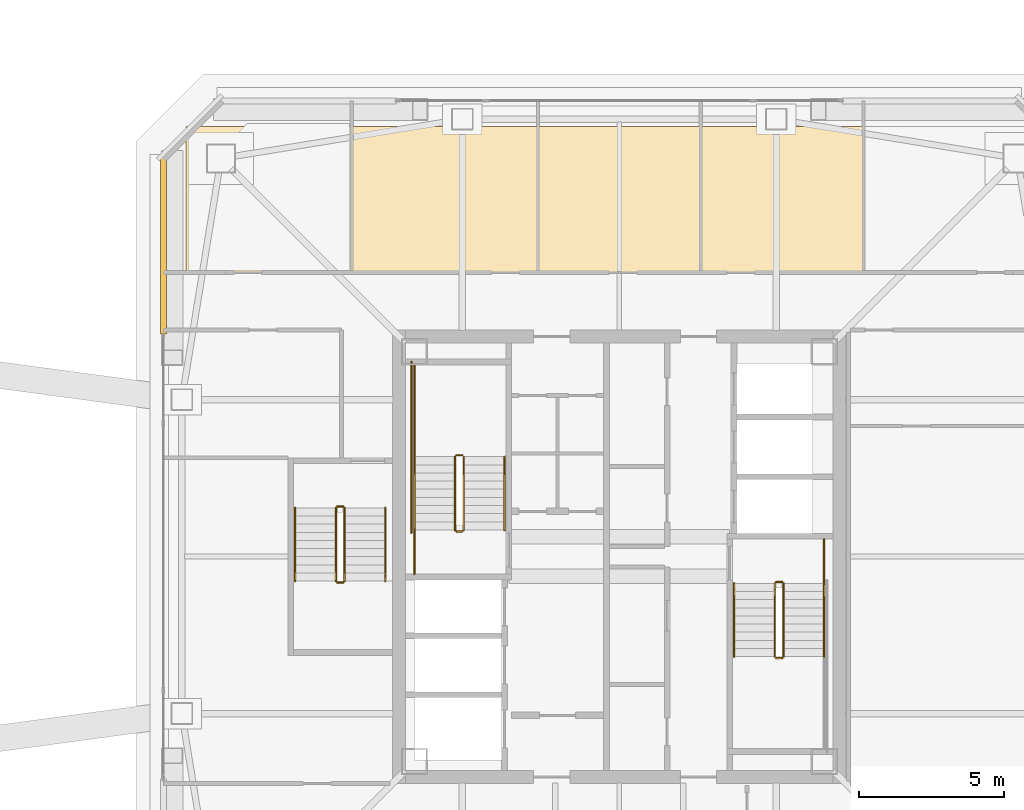
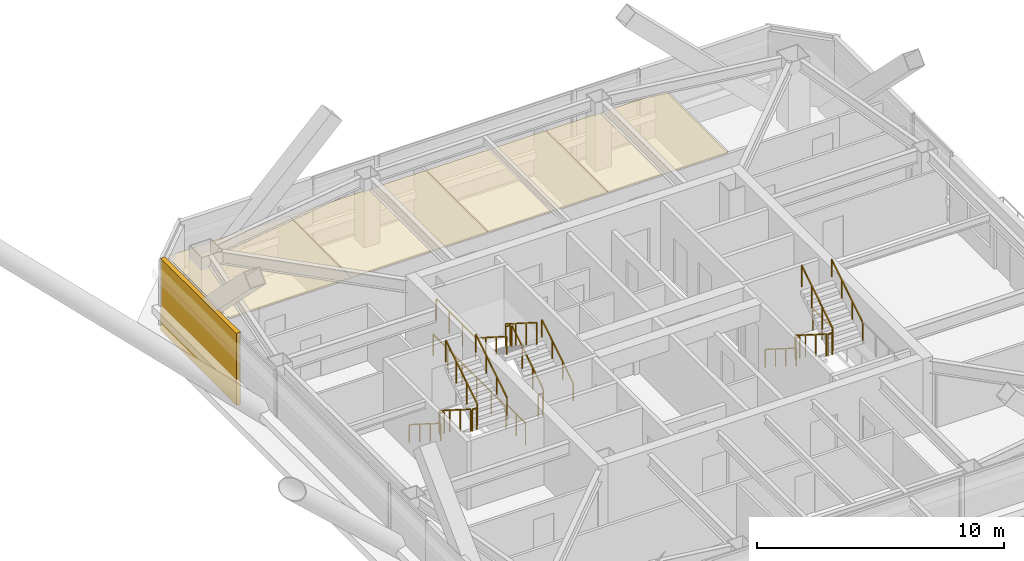
# One storey, part 36 of 39: 22 railings, 5 coverings.
"""IFC4 building model written with IfcOpenShell, lengths in metres."""

from ifc_helpers import new_model, si_unit, direction, frame, origin, origin_2d, place, context, subcontext, project, spatial, polyline, rectangle, outline, extrude, material, layer, layer_set, type_object, element, save


model = new_model("IFC4")

# Units and contexts
model_context = context("Model", 3, precision=1e-05, world=origin(), true_north=direction((0.0, 1.0)))
body_context = subcontext(model_context, "Body", "Model", "MODEL_VIEW")
ifc_project = project(units=[si_unit("LENGTHUNIT", "METRE"), si_unit("AREAUNIT", "SQUARE_METRE"), si_unit("VOLUMEUNIT", "CUBIC_METRE"), si_unit("PLANEANGLEUNIT", "RADIAN"), si_unit("MASSUNIT", "GRAM", prefix="KILO")], contexts=[model_context])

# Site, building, storey
site_placement = place(None, origin())
site = spatial("IfcSite", under=ifc_project, at=site_placement, CompositionType="ELEMENT")
building_placement = place(site_placement, origin())
building = spatial("IfcBuilding", under=site, at=building_placement, Name="Tashvorn Skyway Center", CompositionType="ELEMENT")
storey_placement = place(building_placement, frame((0.0, 0.0, 232.60009765625)))
storey = spatial("IfcBuildingStorey", under=building, at=storey_placement, Name="L63", CompositionType="ELEMENT", Elevation=232.60009765625)

# Coverings
ifc_material_1 = material(Name="Precast concrete C40/50", Category="concrete")
ifc_layer_1 = layer(ifc_material_1, 0.199951171875)
ifc_layer_set_1 = layer_set([ifc_layer_1], Name="Precast concrete C40/50")
covering_type_1 = type_object("IfcCoveringType", Name="COV-BRACE-CLAD", PredefinedType="CLADDING", material=ifc_layer_set_1)
covering_1_placement = place(storey_placement, frame((26.320068359375, 42.7177734375, 0.0), z_axis=(0.0, 0.0, 1.0), x_axis=(0.0, 1.0, 0.0)))
element("IfcCovering", 1, at=covering_1_placement, inside=storey, type_object=covering_type_1, Name="Tower 1 L63 West Unitised Curtain Wall Mega-Brace Cladding Band 2", PredefinedType="CLADDING", context=body_context, shape_type="SweptSolid", body=[
    extrude(rectangle(XDim=6.12451171875, YDim=0.199951171875, at=origin_2d()), origin(), (0.0, 0.0, 1.0), 3.550048828125),
])
ifc_material_2 = material(Name="Mineral-fibre acoustic ceiling tile on suspended grid")
ifc_layer_2 = layer(ifc_material_2, 0.02001953125)
ifc_layer_set_2 = layer_set([ifc_layer_2], Name="Mineral-fibre acoustic ceiling tile on suspended grid")
covering_type_2 = type_object("IfcCoveringType", Name="COV-CEIL-20", PredefinedType="CEILING", material=ifc_layer_set_2)
covering_2_placement = place(storey_placement, frame((0.0, 0.0, 2.702880859375)))
element("IfcCovering", 2, at=covering_2_placement, inside=storey, type_object=covering_type_2, Name="Tower 1 L63 Research Library Acoustic Ceiling", PredefinedType="CEILING", context=body_context, shape_type="SweptSolid", body=[
    extrude(outline(polyline([(27.10009765625, 41.77001953125), (32.800048828125, 41.77001953125), (32.800048828125, 46.800048828125), (27.10009765625, 46.800048828125), (27.10009765625, 41.77001953125)])), origin(), (0.0, 0.0, 1.0), 0.02001953125),
])
covering_3_placement = place(storey_placement, frame((0.0, 0.0, 2.702880859375)))
element("IfcCovering", 3, at=covering_3_placement, inside=storey, type_object=covering_type_2, Name="Tower 1 L63 Research Library Acoustic Ceiling", PredefinedType="CEILING", context=body_context, shape_type="SweptSolid", body=[
    extrude(outline(polyline([(32.800048828125, 41.77001953125), (39.199951171875, 41.77001953125), (39.199951171875, 46.800048828125), (32.800048828125, 46.800048828125), (32.800048828125, 41.77001953125)])), origin(), (0.0, 0.0, 1.0), 0.02001953125),
])
covering_4_placement = place(storey_placement, frame((0.0, 0.0, 2.702880859375)))
element("IfcCovering", 4, at=covering_4_placement, inside=storey, type_object=covering_type_2, Name="Tower 1 L63 Reading Lounge Acoustic Ceiling", PredefinedType="CEILING", context=body_context, shape_type="SweptSolid", body=[
    extrude(outline(polyline([(39.199951171875, 41.77001953125), (44.800048828125, 41.77001953125), (44.800048828125, 46.800048828125), (39.199951171875, 46.800048828125), (39.199951171875, 41.77001953125)])), origin(), (0.0, 0.0, 1.0), 0.02001953125),
])
covering_5_placement = place(storey_placement, frame((0.0, 0.0, 2.702880859375)))
element("IfcCovering", 5, at=covering_5_placement, inside=storey, type_object=covering_type_2, Name="Tower 1 L63 Research Library Acoustic Ceiling", PredefinedType="CEILING", context=body_context, shape_type="SweptSolid", body=[
    extrude(outline(polyline([(44.800048828125, 41.77001953125), (50.39990234375, 41.77001953125), (50.39990234375, 46.800048828125), (44.800048828125, 46.800048828125), (44.800048828125, 41.77001953125)])), origin(), (0.0, 0.0, 1.0), 0.02001953125),
])

# Railings
ifc_material_3 = material(Name="Brushed stainless steel 316", Category="steel")
railing_type_1 = type_object("IfcRailingType", Name="RAIL-HAND-920", PredefinedType="HANDRAIL", material=ifc_material_3)
railing_1_placement = place(storey_placement, frame((38.050048828125, 32.919921875, 0.177490234375)))
element("IfcRailing", 6, at=railing_1_placement, inside=storey, type_object=railing_type_1, Name="L63 ST-T1-1 stair handrail 1", PredefinedType="HANDRAIL", context=body_context, shape_type="SweptSolid", body=[
    extrude(rectangle(XDim=0.048095703125, YDim=0.048095703125, at=origin_2d()), frame((0.0, 0.0, 0.8759765625), z_axis=(0.0, 0.84460694969, 0.535386869969), x_axis=(-1.0, 0.0, 0.0)), (0.0, 0.0, 1.0), 2.983642578125),
    extrude(rectangle(XDim=0.0419921875, YDim=0.0419921875, at=origin_2d()), origin(), (0.0, 0.0, 1.0), 0.851806640625),
    extrude(rectangle(XDim=0.0419921875, YDim=0.0419921875, at=origin_2d()), frame((0.0, 0.840087890625, 0.532470703125)), (0.0, 0.0, 1.0), 0.851806640625),
    extrude(rectangle(XDim=0.0419921875, YDim=0.0419921875, at=origin_2d()), frame((0.0, 1.679931640625, 1.06494140625)), (0.0, 0.0, 1.0), 0.851806640625),
    extrude(rectangle(XDim=0.0419921875, YDim=0.0419921875, at=origin_2d()), frame((0.0, 2.52001953125, 1.597412109375)), (0.0, 0.0, 1.0), 0.851806640625),
])
for number, where, name in (
    (7, (34.949951171875, 35.43994140625, 1.952392578125), "L63 ST-T1-1 stair handrail 2"),
    (8, (45.949951171875, 31.080078125, 0.177490234375), "L63 ST-T1-2 stair handrail 1"),
):
    element("IfcRailing", number, at=place(storey_placement, frame(where)), inside=storey, type_object=railing_type_1, Name=name, PredefinedType="HANDRAIL", context=body_context, shape_type="SweptSolid", body=[
        extrude(rectangle(XDim=0.048095703125, YDim=0.048095703125, at=origin_2d()), frame((0.0, 0.0, 0.8759765625), z_axis=(0.0, -0.84460694969, 0.535386869969), x_axis=(1.0, 0.0, 0.0)), (0.0, 0.0, 1.0), 2.983642578125),
        extrude(rectangle(XDim=0.0419921875, YDim=0.0419921875, at=origin_2d()), origin(), (0.0, 0.0, 1.0), 0.851806640625),
        extrude(rectangle(XDim=0.0419921875, YDim=0.0419921875, at=origin_2d()), frame((0.0, -0.840087890625, 0.532470703125)), (0.0, 0.0, 1.0), 0.851806640625),
        extrude(rectangle(XDim=0.0419921875, YDim=0.0419921875, at=origin_2d()), frame((0.0, -1.679931640625, 1.06494140625)), (0.0, 0.0, 1.0), 0.851806640625),
        extrude(rectangle(XDim=0.0419921875, YDim=0.0419921875, at=origin_2d()), frame((0.0, -2.52001953125, 1.597412109375)), (0.0, 0.0, 1.0), 0.851806640625),
    ])
railing_2_placement = place(storey_placement, frame((49.050048828125, 28.56005859375, 1.952392578125)))
element("IfcRailing", 9, at=railing_2_placement, inside=storey, type_object=railing_type_1, Name="L63 ST-T1-2 stair handrail 2", PredefinedType="HANDRAIL", context=body_context, shape_type="SweptSolid", body=[
    extrude(rectangle(XDim=0.048095703125, YDim=0.048095703125, at=origin_2d()), frame((0.0, 0.0, 0.8759765625), z_axis=(0.0, 0.84460694969, 0.535386869969), x_axis=(-1.0, 0.0, 0.0)), (0.0, 0.0, 1.0), 2.983642578125),
    extrude(rectangle(XDim=0.0419921875, YDim=0.0419921875, at=origin_2d()), origin(), (0.0, 0.0, 1.0), 0.851806640625),
    extrude(rectangle(XDim=0.0419921875, YDim=0.0419921875, at=origin_2d()), frame((0.0, 0.840087890625, 0.532470703125)), (0.0, 0.0, 1.0), 0.851806640625),
    extrude(rectangle(XDim=0.0419921875, YDim=0.0419921875, at=origin_2d()), frame((0.0, 1.679931640625, 1.06494140625)), (0.0, 0.0, 1.0), 0.851806640625),
    extrude(rectangle(XDim=0.0419921875, YDim=0.0419921875, at=origin_2d()), frame((0.0, 2.52001953125, 1.597412109375)), (0.0, 0.0, 1.0), 0.851806640625),
])
railing_3_placement = place(storey_placement, frame((30.85009765625, 33.679931640625, 0.177490234375)))
element("IfcRailing", 10, at=railing_3_placement, inside=storey, type_object=railing_type_1, Name="L63 ST-T1-3 stair handrail 1", PredefinedType="HANDRAIL", context=body_context, shape_type="SweptSolid", body=[
    extrude(rectangle(XDim=0.048095703125, YDim=0.048095703125, at=origin_2d()), frame((0.0, 0.0, 0.8759765625), z_axis=(0.0, -0.84460694969, 0.535386869969), x_axis=(1.0, 0.0, 0.0)), (0.0, 0.0, 1.0), 2.983642578125),
    extrude(rectangle(XDim=0.0419921875, YDim=0.0419921875, at=origin_2d()), origin(), (0.0, 0.0, 1.0), 0.851806640625),
    extrude(rectangle(XDim=0.0419921875, YDim=0.0419921875, at=origin_2d()), frame((0.0, -0.840087890625, 0.532470703125)), (0.0, 0.0, 1.0), 0.851806640625),
    extrude(rectangle(XDim=0.0419921875, YDim=0.0419921875, at=origin_2d()), frame((0.0, -1.679931640625, 1.06494140625)), (0.0, 0.0, 1.0), 0.851806640625),
    extrude(rectangle(XDim=0.0419921875, YDim=0.0419921875, at=origin_2d()), frame((0.0, -2.52001953125, 1.597412109375)), (0.0, 0.0, 1.0), 0.851806640625),
])
railing_4_placement = place(storey_placement, frame((33.949951171875, 31.159912109375, 1.952392578125)))
element("IfcRailing", 11, at=railing_4_placement, inside=storey, type_object=railing_type_1, Name="L63 ST-T1-3 stair handrail 2", PredefinedType="HANDRAIL", context=body_context, shape_type="SweptSolid", body=[
    extrude(rectangle(XDim=0.048095703125, YDim=0.048095703125, at=origin_2d()), frame((0.0, 0.0, 0.8759765625), z_axis=(0.0, 0.84460694969, 0.535386869969), x_axis=(-1.0, 0.0, 0.0)), (0.0, 0.0, 1.0), 2.983642578125),
    extrude(rectangle(XDim=0.0419921875, YDim=0.0419921875, at=origin_2d()), origin(), (0.0, 0.0, 1.0), 0.851806640625),
    extrude(rectangle(XDim=0.0419921875, YDim=0.0419921875, at=origin_2d()), frame((0.0, 0.840087890625, 0.532470703125)), (0.0, 0.0, 1.0), 0.851806640625),
    extrude(rectangle(XDim=0.0419921875, YDim=0.0419921875, at=origin_2d()), frame((0.0, 1.679931640625, 1.06494140625)), (0.0, 0.0, 1.0), 0.851806640625),
    extrude(rectangle(XDim=0.0419921875, YDim=0.0419921875, at=origin_2d()), frame((0.0, 2.52001953125, 1.597412109375)), (0.0, 0.0, 1.0), 0.851806640625),
])
ifc_material_4 = material(Name="Painted galvanized steel S355", Category="steel")
railing_type_2 = type_object("IfcRailingType", Name="RAIL-STGUARD-1100", PredefinedType="GUARDRAIL", material=ifc_material_4)
railing_5_placement = place(storey_placement, frame((36.64990234375, 32.919921875, 0.177490234375)))
element("IfcRailing", 12, at=railing_5_placement, inside=storey, type_object=railing_type_2, Name="L63 ST-T1-1 stair guard 1", PredefinedType="GUARDRAIL", context=body_context, shape_type="SweptSolid", body=[
    extrude(rectangle(XDim=0.048095703125, YDim=0.048095703125, at=origin_2d()), frame((0.0, 0.0, 1.076171875), z_axis=(0.0, 0.84460694969, 0.535386869969), x_axis=(-1.0, 0.0, 0.0)), (0.0, 0.0, 1.0), 2.983642578125),
    extrude(rectangle(XDim=0.0419921875, YDim=0.0419921875, at=origin_2d()), origin(), (0.0, 0.0, 1.0), 1.052001953125),
    extrude(rectangle(XDim=0.0419921875, YDim=0.0419921875, at=origin_2d()), frame((0.0, 0.840087890625, 0.532470703125)), (0.0, 0.0, 1.0), 1.052001953125),
    extrude(rectangle(XDim=0.0419921875, YDim=0.0419921875, at=origin_2d()), frame((0.0, 1.679931640625, 1.06494140625)), (0.0, 0.0, 1.0), 1.052001953125),
    extrude(rectangle(XDim=0.0419921875, YDim=0.0419921875, at=origin_2d()), frame((0.0, 2.52001953125, 1.597412109375)), (0.0, 0.0, 1.0), 1.052001953125),
])
railing_6_placement = place(storey_placement, frame((36.60009765625, 35.489990234375, 1.77490234375)))
element("IfcRailing", 13, at=railing_6_placement, inside=storey, type_object=railing_type_2, Name="L63 ST-T1-1 stair guard 2", PredefinedType="GUARDRAIL", context=body_context, shape_type="SweptSolid", body=[
    extrude(rectangle(XDim=0.048095703125, YDim=0.048095703125, at=origin_2d()), frame((0.0, 0.0, 1.076171875), z_axis=(-1.0, 0.0, 0.0), x_axis=(0.0, -1.0, 0.0)), (0.0, 0.0, 1.0), 0.2001953125),
    extrude(rectangle(XDim=0.0419921875, YDim=0.0419921875, at=origin_2d()), origin(), (0.0, 0.0, 1.0), 1.052001953125),
    extrude(rectangle(XDim=0.0419921875, YDim=0.0419921875, at=origin_2d()), frame((-0.2001953125, 0.0, 0.0)), (0.0, 0.0, 1.0), 1.052001953125),
])
railing_7_placement = place(storey_placement, frame((34.949951171875, 35.43994140625, 1.77490234375)))
element("IfcRailing", 14, at=railing_7_placement, inside=storey, type_object=railing_type_2, Name="L63 ST-T1-1 stair guard 3", PredefinedType="GUARDRAIL", context=body_context, shape_type="SweptSolid", body=[
    extrude(rectangle(XDim=0.048095703125, YDim=0.048095703125, at=origin_2d()), frame((0.0, 0.0, 1.076171875), z_axis=(0.0, 1.0, 0.0), x_axis=(-1.0, 0.0, 0.0)), (0.0, 0.0, 1.0), 3.16015625),
    extrude(rectangle(XDim=0.0419921875, YDim=0.0419921875, at=origin_2d()), origin(), (0.0, 0.0, 1.0), 1.052001953125),
    extrude(rectangle(XDim=0.0419921875, YDim=0.0419921875, at=origin_2d()), frame((0.0, 1.053466796875, 0.0)), (0.0, 0.0, 1.0), 1.052001953125),
    extrude(rectangle(XDim=0.0419921875, YDim=0.0419921875, at=origin_2d()), frame((0.0, 2.106689453125, 0.0)), (0.0, 0.0, 1.0), 1.052001953125),
    extrude(rectangle(XDim=0.0419921875, YDim=0.0419921875, at=origin_2d()), frame((0.0, 3.16015625, 0.0)), (0.0, 0.0, 1.0), 1.052001953125),
])
railing_8_placement = place(storey_placement, frame((36.35009765625, 35.43994140625, 1.952392578125)))
element("IfcRailing", 15, at=railing_8_placement, inside=storey, type_object=railing_type_2, Name="L63 ST-T1-1 stair guard 4", PredefinedType="GUARDRAIL", context=body_context, shape_type="SweptSolid", body=[
    extrude(rectangle(XDim=0.048095703125, YDim=0.048095703125, at=origin_2d()), frame((0.0, 0.0, 1.076171875), z_axis=(0.0, -0.84460694969, 0.535386869969), x_axis=(1.0, 0.0, 0.0)), (0.0, 0.0, 1.0), 2.983642578125),
    extrude(rectangle(XDim=0.0419921875, YDim=0.0419921875, at=origin_2d()), origin(), (0.0, 0.0, 1.0), 1.052001953125),
    extrude(rectangle(XDim=0.0419921875, YDim=0.0419921875, at=origin_2d()), frame((0.0, -0.840087890625, 0.532470703125)), (0.0, 0.0, 1.0), 1.052001953125),
    extrude(rectangle(XDim=0.0419921875, YDim=0.0419921875, at=origin_2d()), frame((0.0, -1.679931640625, 1.06494140625)), (0.0, 0.0, 1.0), 1.052001953125),
    extrude(rectangle(XDim=0.0419921875, YDim=0.0419921875, at=origin_2d()), frame((0.0, -2.52001953125, 1.597412109375)), (0.0, 0.0, 1.0), 1.052001953125),
])
railing_9_placement = place(storey_placement, frame((36.60009765625, 32.8701171875, 0.0)))
element("IfcRailing", 16, at=railing_9_placement, inside=storey, type_object=railing_type_2, Name="L63 ST-T1-1 stair guard 5", PredefinedType="GUARDRAIL", context=body_context, shape_type="SweptSolid", body=[
    extrude(rectangle(XDim=0.048095703125, YDim=0.048095703125, at=origin_2d()), frame((0.0, 0.0, 1.076171875), z_axis=(-1.0, 0.0, 0.0), x_axis=(0.0, -1.0, 0.0)), (0.0, 0.0, 1.0), 0.2001953125),
    extrude(rectangle(XDim=0.0419921875, YDim=0.0419921875, at=origin_2d()), origin(), (0.0, 0.0, 1.0), 1.052001953125),
    extrude(rectangle(XDim=0.0419921875, YDim=0.0419921875, at=origin_2d()), frame((-0.2001953125, 0.0, 0.0)), (0.0, 0.0, 1.0), 1.052001953125),
])
railing_10_placement = place(storey_placement, frame((34.949951171875, 31.39990234375, 0.0)))
element("IfcRailing", 17, at=railing_10_placement, inside=storey, type_object=railing_type_2, Name="L63 ST-T1-1 stair guard 6", PredefinedType="GUARDRAIL", context=body_context, shape_type="SweptSolid", body=[
    extrude(rectangle(XDim=0.048095703125, YDim=0.048095703125, at=origin_2d()), frame((0.0, 0.0, 1.076171875), z_axis=(0.0, 1.0, 0.0), x_axis=(-1.0, 0.0, 0.0)), (0.0, 0.0, 1.0), 1.52001953125),
    extrude(rectangle(XDim=0.0419921875, YDim=0.0419921875, at=origin_2d()), origin(), (0.0, 0.0, 1.0), 1.052001953125),
    extrude(rectangle(XDim=0.0419921875, YDim=0.0419921875, at=origin_2d()), frame((0.0, 0.760009765625, 0.0)), (0.0, 0.0, 1.0), 1.052001953125),
    extrude(rectangle(XDim=0.0419921875, YDim=0.0419921875, at=origin_2d()), frame((0.0, 1.52001953125, 0.0)), (0.0, 0.0, 1.0), 1.052001953125),
])
railing_11_placement = place(storey_placement, frame((34.85009765625, 32.820068359375, 0.0)))
element("IfcRailing", 18, at=railing_11_placement, inside=storey, type_object=railing_type_2, Name="L63 ST-T1-1 stair guard 7", PredefinedType="GUARDRAIL", context=body_context, shape_type="SweptSolid", body=[
    extrude(rectangle(XDim=0.048095703125, YDim=0.048095703125, at=origin_2d()), frame((0.0, 0.0, 1.076171875), z_axis=(0.0, 1.0, 0.0), x_axis=(-1.0, 0.0, 0.0)), (0.0, 0.0, 1.0), 5.8798828125),
    extrude(rectangle(XDim=0.0419921875, YDim=0.0419921875, at=origin_2d()), origin(), (0.0, 0.0, 1.0), 1.052001953125),
    extrude(rectangle(XDim=0.0419921875, YDim=0.0419921875, at=origin_2d()), frame((0.0, 1.176025390625, 0.0)), (0.0, 0.0, 1.0), 1.052001953125),
    extrude(rectangle(XDim=0.0419921875, YDim=0.0419921875, at=origin_2d()), frame((0.0, 2.35205078125, 0.0)), (0.0, 0.0, 1.0), 1.052001953125),
    extrude(rectangle(XDim=0.0419921875, YDim=0.0419921875, at=origin_2d()), frame((0.0, 3.52783203125, 0.0)), (0.0, 0.0, 1.0), 1.052001953125),
    extrude(rectangle(XDim=0.0419921875, YDim=0.0419921875, at=origin_2d()), frame((0.0, 4.703857421875, 0.0)), (0.0, 0.0, 1.0), 1.052001953125),
    extrude(rectangle(XDim=0.0419921875, YDim=0.0419921875, at=origin_2d()), frame((0.0, 5.8798828125, 0.0)), (0.0, 0.0, 1.0), 1.052001953125),
])
railing_12_placement = place(storey_placement, frame((47.35009765625, 31.080078125, 0.177490234375)))
element("IfcRailing", 19, at=railing_12_placement, inside=storey, type_object=railing_type_2, Name="L63 ST-T1-2 stair guard 1", PredefinedType="GUARDRAIL", context=body_context, shape_type="SweptSolid", body=[
    extrude(rectangle(XDim=0.048095703125, YDim=0.048095703125, at=origin_2d()), frame((0.0, 0.0, 1.076171875), z_axis=(0.0, -0.84460694969, 0.535386869969), x_axis=(1.0, 0.0, 0.0)), (0.0, 0.0, 1.0), 2.983642578125),
    extrude(rectangle(XDim=0.0419921875, YDim=0.0419921875, at=origin_2d()), origin(), (0.0, 0.0, 1.0), 1.052001953125),
    extrude(rectangle(XDim=0.0419921875, YDim=0.0419921875, at=origin_2d()), frame((0.0, -0.840087890625, 0.532470703125)), (0.0, 0.0, 1.0), 1.052001953125),
    extrude(rectangle(XDim=0.0419921875, YDim=0.0419921875, at=origin_2d()), frame((0.0, -1.679931640625, 1.06494140625)), (0.0, 0.0, 1.0), 1.052001953125),
    extrude(rectangle(XDim=0.0419921875, YDim=0.0419921875, at=origin_2d()), frame((0.0, -2.52001953125, 1.597412109375)), (0.0, 0.0, 1.0), 1.052001953125),
])
railing_13_placement = place(storey_placement, frame((47.39990234375, 28.510009765625, 1.77490234375)))
element("IfcRailing", 20, at=railing_13_placement, inside=storey, type_object=railing_type_2, Name="L63 ST-T1-2 stair guard 2", PredefinedType="GUARDRAIL", context=body_context, shape_type="SweptSolid", body=[
    extrude(rectangle(XDim=0.048095703125, YDim=0.048095703125, at=origin_2d()), frame((0.0, 0.0, 1.076171875), z_axis=(1.0, 0.0, 0.0), x_axis=(0.0, 1.0, 0.0)), (0.0, 0.0, 1.0), 0.2001953125),
    extrude(rectangle(XDim=0.0419921875, YDim=0.0419921875, at=origin_2d()), origin(), (0.0, 0.0, 1.0), 1.052001953125),
    extrude(rectangle(XDim=0.0419921875, YDim=0.0419921875, at=origin_2d()), frame((0.2001953125, 0.0, 0.0)), (0.0, 0.0, 1.0), 1.052001953125),
])
railing_14_placement = place(storey_placement, frame((47.64990234375, 28.56005859375, 1.952392578125)))
element("IfcRailing", 21, at=railing_14_placement, inside=storey, type_object=railing_type_2, Name="L63 ST-T1-2 stair guard 4", PredefinedType="GUARDRAIL", context=body_context, shape_type="SweptSolid", body=[
    extrude(rectangle(XDim=0.048095703125, YDim=0.048095703125, at=origin_2d()), frame((0.0, 0.0, 1.076171875), z_axis=(0.0, 0.84460694969, 0.535386869969), x_axis=(-1.0, 0.0, 0.0)), (0.0, 0.0, 1.0), 2.983642578125),
    extrude(rectangle(XDim=0.0419921875, YDim=0.0419921875, at=origin_2d()), origin(), (0.0, 0.0, 1.0), 1.052001953125),
    extrude(rectangle(XDim=0.0419921875, YDim=0.0419921875, at=origin_2d()), frame((0.0, 0.840087890625, 0.532470703125)), (0.0, 0.0, 1.0), 1.052001953125),
    extrude(rectangle(XDim=0.0419921875, YDim=0.0419921875, at=origin_2d()), frame((0.0, 1.679931640625, 1.06494140625)), (0.0, 0.0, 1.0), 1.052001953125),
    extrude(rectangle(XDim=0.0419921875, YDim=0.0419921875, at=origin_2d()), frame((0.0, 2.52001953125, 1.597412109375)), (0.0, 0.0, 1.0), 1.052001953125),
])
railing_15_placement = place(storey_placement, frame((47.39990234375, 31.1298828125, 0.0)))
element("IfcRailing", 22, at=railing_15_placement, inside=storey, type_object=railing_type_2, Name="L63 ST-T1-2 stair guard 5", PredefinedType="GUARDRAIL", context=body_context, shape_type="SweptSolid", body=[
    extrude(rectangle(XDim=0.048095703125, YDim=0.048095703125, at=origin_2d()), frame((0.0, 0.0, 1.076171875), z_axis=(1.0, 0.0, 0.0), x_axis=(0.0, 1.0, 0.0)), (0.0, 0.0, 1.0), 0.2001953125),
    extrude(rectangle(XDim=0.0419921875, YDim=0.0419921875, at=origin_2d()), origin(), (0.0, 0.0, 1.0), 1.052001953125),
    extrude(rectangle(XDim=0.0419921875, YDim=0.0419921875, at=origin_2d()), frame((0.2001953125, 0.0, 0.0)), (0.0, 0.0, 1.0), 1.052001953125),
])
railing_16_placement = place(storey_placement, frame((49.050048828125, 32.60009765625, 0.0)))
element("IfcRailing", 23, at=railing_16_placement, inside=storey, type_object=railing_type_2, Name="L63 ST-T1-2 stair guard 6", PredefinedType="GUARDRAIL", context=body_context, shape_type="SweptSolid", body=[
    extrude(rectangle(XDim=0.048095703125, YDim=0.048095703125, at=origin_2d()), frame((0.0, 0.0, 1.076171875), z_axis=(0.0, -1.0, 0.0), x_axis=(1.0, 0.0, 0.0)), (0.0, 0.0, 1.0), 1.52001953125),
    extrude(rectangle(XDim=0.0419921875, YDim=0.0419921875, at=origin_2d()), origin(), (0.0, 0.0, 1.0), 1.052001953125),
    extrude(rectangle(XDim=0.0419921875, YDim=0.0419921875, at=origin_2d()), frame((0.0, -0.760009765625, 0.0)), (0.0, 0.0, 1.0), 1.052001953125),
    extrude(rectangle(XDim=0.0419921875, YDim=0.0419921875, at=origin_2d()), frame((0.0, -1.52001953125, 0.0)), (0.0, 0.0, 1.0), 1.052001953125),
])
railing_17_placement = place(storey_placement, frame((32.25, 33.679931640625, 0.177490234375)))
element("IfcRailing", 24, at=railing_17_placement, inside=storey, type_object=railing_type_2, Name="L63 ST-T1-3 stair guard 1", PredefinedType="GUARDRAIL", context=body_context, shape_type="SweptSolid", body=[
    extrude(rectangle(XDim=0.048095703125, YDim=0.048095703125, at=origin_2d()), frame((0.0, 0.0, 1.076171875), z_axis=(0.0, -0.84460694969, 0.535386869969), x_axis=(1.0, 0.0, 0.0)), (0.0, 0.0, 1.0), 2.983642578125),
    extrude(rectangle(XDim=0.0419921875, YDim=0.0419921875, at=origin_2d()), origin(), (0.0, 0.0, 1.0), 1.052001953125),
    extrude(rectangle(XDim=0.0419921875, YDim=0.0419921875, at=origin_2d()), frame((0.0, -0.840087890625, 0.532470703125)), (0.0, 0.0, 1.0), 1.052001953125),
    extrude(rectangle(XDim=0.0419921875, YDim=0.0419921875, at=origin_2d()), frame((0.0, -1.679931640625, 1.06494140625)), (0.0, 0.0, 1.0), 1.052001953125),
    extrude(rectangle(XDim=0.0419921875, YDim=0.0419921875, at=origin_2d()), frame((0.0, -2.52001953125, 1.597412109375)), (0.0, 0.0, 1.0), 1.052001953125),
])
railing_18_placement = place(storey_placement, frame((32.300048828125, 31.110107421875, 1.77490234375)))
element("IfcRailing", 25, at=railing_18_placement, inside=storey, type_object=railing_type_2, Name="L63 ST-T1-3 stair guard 2", PredefinedType="GUARDRAIL", context=body_context, shape_type="SweptSolid", body=[
    extrude(rectangle(XDim=0.048095703125, YDim=0.048095703125, at=origin_2d()), frame((0.0, 0.0, 1.076171875), z_axis=(1.0, 0.0, 0.0), x_axis=(0.0, 1.0, 0.0)), (0.0, 0.0, 1.0), 0.199951171875),
    extrude(rectangle(XDim=0.0419921875, YDim=0.0419921875, at=origin_2d()), origin(), (0.0, 0.0, 1.0), 1.052001953125),
    extrude(rectangle(XDim=0.0419921875, YDim=0.0419921875, at=origin_2d()), frame((0.199951171875, 0.0, 0.0)), (0.0, 0.0, 1.0), 1.052001953125),
])
railing_19_placement = place(storey_placement, frame((32.550048828125, 31.159912109375, 1.952392578125)))
element("IfcRailing", 26, at=railing_19_placement, inside=storey, type_object=railing_type_2, Name="L63 ST-T1-3 stair guard 3", PredefinedType="GUARDRAIL", context=body_context, shape_type="SweptSolid", body=[
    extrude(rectangle(XDim=0.048095703125, YDim=0.048095703125, at=origin_2d()), frame((0.0, 0.0, 1.076171875), z_axis=(0.0, 0.84460694969, 0.535386869969), x_axis=(-1.0, 0.0, 0.0)), (0.0, 0.0, 1.0), 2.983642578125),
    extrude(rectangle(XDim=0.0419921875, YDim=0.0419921875, at=origin_2d()), origin(), (0.0, 0.0, 1.0), 1.052001953125),
    extrude(rectangle(XDim=0.0419921875, YDim=0.0419921875, at=origin_2d()), frame((0.0, 0.840087890625, 0.532470703125)), (0.0, 0.0, 1.0), 1.052001953125),
    extrude(rectangle(XDim=0.0419921875, YDim=0.0419921875, at=origin_2d()), frame((0.0, 1.679931640625, 1.06494140625)), (0.0, 0.0, 1.0), 1.052001953125),
    extrude(rectangle(XDim=0.0419921875, YDim=0.0419921875, at=origin_2d()), frame((0.0, 2.52001953125, 1.597412109375)), (0.0, 0.0, 1.0), 1.052001953125),
])
railing_20_placement = place(storey_placement, frame((32.300048828125, 33.72998046875, 0.0)))
element("IfcRailing", 27, at=railing_20_placement, inside=storey, type_object=railing_type_2, Name="L63 ST-T1-3 stair guard 4", PredefinedType="GUARDRAIL", context=body_context, shape_type="SweptSolid", body=[
    extrude(rectangle(XDim=0.048095703125, YDim=0.048095703125, at=origin_2d()), frame((0.0, 0.0, 1.076171875), z_axis=(1.0, 0.0, 0.0), x_axis=(0.0, 1.0, 0.0)), (0.0, 0.0, 1.0), 0.199951171875),
    extrude(rectangle(XDim=0.0419921875, YDim=0.0419921875, at=origin_2d()), origin(), (0.0, 0.0, 1.0), 1.052001953125),
    extrude(rectangle(XDim=0.0419921875, YDim=0.0419921875, at=origin_2d()), frame((0.199951171875, 0.0, 0.0)), (0.0, 0.0, 1.0), 1.052001953125),
])

save(model, "model.ifc")
